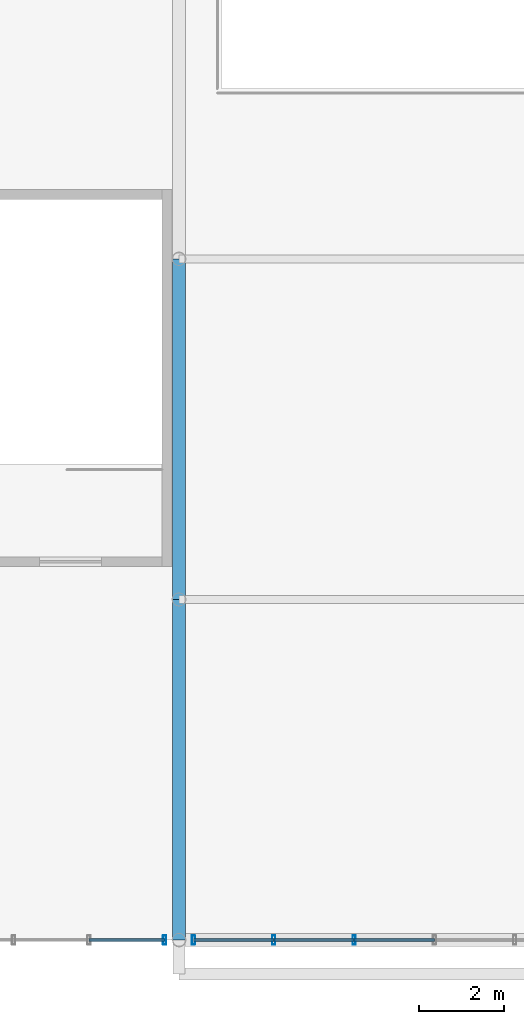
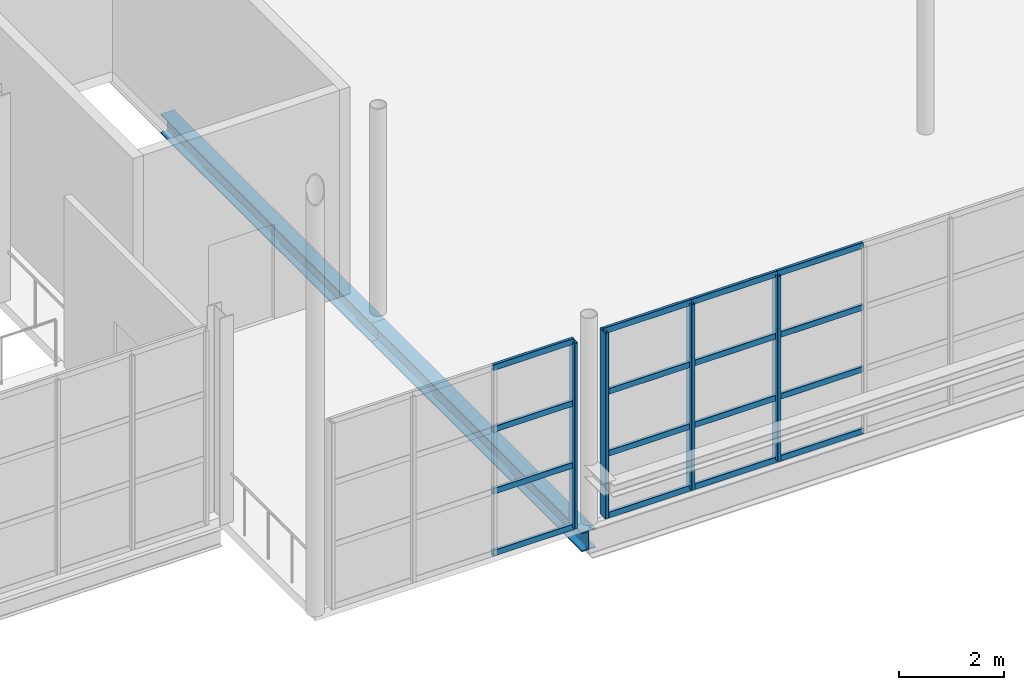
# One storey, part 34 of 143: 20 members, 2 beams, 2 elements without a shape of their own.
"""IFC4 building model written with IfcOpenShell, lengths in metres."""

from ifc_helpers import new_model, si_unit, derived_unit, direction, frame, origin, origin_2d, place, context, subcontext, project, spatial, hollow_rectangle, i_section, extrude, material, material_profile, profile_set, type_object, element, aggregate, save


model = new_model("IFC4")

# Units and contexts
model_context = context("Model", 3, precision=1e-05, world=origin(), true_north=direction((0.0, 1.0)))
body_context = subcontext(model_context, "Body", "Model", "MODEL_VIEW")
ifc_project = project(units=[si_unit("LENGTHUNIT", "METRE"), si_unit("AREAUNIT", "SQUARE_METRE"), si_unit("VOLUMEUNIT", "CUBIC_METRE"), si_unit("PLANEANGLEUNIT", "RADIAN"), si_unit("MASSUNIT", "GRAM", prefix="KILO"), derived_unit("THERMALTRANSMITTANCEUNIT", [(si_unit("POWERUNIT", "WATT"), 1), (si_unit("LENGTHUNIT", "METRE"), -2), (si_unit("THERMODYNAMICTEMPERATUREUNIT", "KELVIN"), -1)])], contexts=[model_context])

# Site, building, storey
site_placement = place(None, origin())
site = spatial("IfcSite", under=ifc_project, at=site_placement, CompositionType="ELEMENT")
building_placement = place(site_placement, origin())
building = spatial("IfcBuilding", under=site, at=building_placement, Name="Keldorne Ridge Multi-Sports Centre", CompositionType="ELEMENT")
storey_placement = place(building_placement, frame((0.0, 0.0, 4.800048828125)))
storey = spatial("IfcBuildingStorey", under=building, at=storey_placement, Name="L01", CompositionType="ELEMENT", Elevation=4.800048828125)

# Beams
ifc_material_1 = material(Name="Steel S355", Category="steel")
ifc_material_profile_1 = material_profile(ifc_material_1, i_section(OverallWidth=0.300048828125, OverallDepth=0.449951171875, WebThickness=0.013916015625, FlangeThickness=0.02587890625, FilletRadius=0.027099609375, at=origin_2d()), Name="HEB 450")
ifc_profile_set_1 = profile_set([ifc_material_profile_1], Name="Steel S355")
beam_type = type_object("IfcBeamType", Name="BM-B-11", PredefinedType="BEAM", material=ifc_profile_set_1)
for number, where, z_axis, x_axis, name in (
    (1, (84.0, 6.0, -0.445068359375), (0.0, 1.0, 0.0), (-1.0, 0.0, 0.0), "L01 passage girder G12.1"),
    (2, (84.0, 14.0, -0.445068359375), (0.0, 1.0, 0.0), (-1.0, 0.0, 0.0), "L01 passage girder G12.2"),
):
    element("IfcBeam", number, at=place(storey_placement, frame(where, z_axis=z_axis, x_axis=x_axis)), inside=storey, type_object=beam_type, Name=name, PredefinedType="BEAM", context=body_context, shape_type="SweptSolid", body=[
        extrude(i_section(OverallWidth=0.300048828125, OverallDepth=0.449951171875, WebThickness=0.013916015625, FlangeThickness=0.02587890625, FilletRadius=0.027099609375, at=origin_2d()), origin(), (0.0, 0.0, 1.0), 8.0),
    ])

# Curtain wall, member
ifc_material_2 = material(Name="Anodized aluminium", Category="aluminium")
curtain_wall_type_1 = type_object("IfcCurtainWallType", Name="CW-CW-02", PredefinedType="NOTDEFINED", material=ifc_material_2)
curtain_wall_1_placement = place(storey_placement, origin())
curtain_wall_1 = element("IfcCurtainWall", 3, at=curtain_wall_1_placement, inside=storey, type_object=curtain_wall_type_1, Name="Public Passage S upper glazing 074", PredefinedType="NOTDEFINED")
ifc_material_profile_2 = material_profile(ifc_material_2, hollow_rectangle(XDim=0.074951171875, YDim=0.219970703125, WallThickness=0.0048828125, InnerFilletRadius=0.0048828125, OuterFilletRadius=0.010009765625, at=origin_2d()), Name="ALU MULLION 220x75x5")
ifc_profile_set_2 = profile_set([ifc_material_profile_2], Name="Anodized aluminium")
member_type_1 = type_object("IfcMemberType", Name="MEM-ML-02", PredefinedType="MULLION", material=ifc_profile_set_2)
member_1_placement = place(storey_placement, frame((83.659912109375, 6.0, 0.0), z_axis=(0.0, 0.0, 1.0), x_axis=(1.0, 0.0, 0.0)))
member_1 = element("IfcMember", 4, at=member_1_placement, type_object=member_type_1, Name="CW-074 vertical mullion 4", PredefinedType="MULLION", context=body_context, shape_type="SweptSolid", body=[
    extrude(hollow_rectangle(XDim=0.074951171875, YDim=0.219970703125, WallThickness=0.0048828125, InnerFilletRadius=0.0048828125, OuterFilletRadius=0.010009765625, at=origin_2d()), origin(), (0.0, 0.0, 1.0), 4.300048828125),
])

# Curtain wall, members
curtain_wall_type_2 = type_object("IfcCurtainWallType", Name="CW-CW-03", PredefinedType="NOTDEFINED", material=ifc_material_2)
curtain_wall_2_placement = place(storey_placement, origin())
curtain_wall_2 = element("IfcCurtainWall", 5, at=curtain_wall_2_placement, inside=storey, type_object=curtain_wall_type_2, Name="Public Passage S upper portal glazing 075", PredefinedType="NOTDEFINED")
member_2_placement = place(storey_placement, frame((84.340087890625, 6.0, 0.0), z_axis=(0.0, 0.0, 1.0), x_axis=(1.0, 0.0, 0.0)))
member_2 = element("IfcMember", 6, at=member_2_placement, type_object=member_type_1, Name="CW-075 vertical mullion 1", PredefinedType="MULLION", context=body_context, shape_type="SweptSolid", body=[
    extrude(hollow_rectangle(XDim=0.074951171875, YDim=0.219970703125, WallThickness=0.0048828125, InnerFilletRadius=0.0048828125, OuterFilletRadius=0.010009765625, at=origin_2d()), origin(), (0.0, 0.0, 1.0), 4.300048828125),
])
member_3_placement = place(storey_placement, frame((86.226806640625, 6.0, 0.0), z_axis=(0.0, 0.0, 1.0), x_axis=(1.0, 0.0, 0.0)))
member_3 = element("IfcMember", 7, at=member_3_placement, type_object=member_type_1, Name="CW-075 vertical mullion 2", PredefinedType="MULLION", context=body_context, shape_type="SweptSolid", body=[
    extrude(hollow_rectangle(XDim=0.074951171875, YDim=0.219970703125, WallThickness=0.0048828125, InnerFilletRadius=0.0048828125, OuterFilletRadius=0.010009765625, at=origin_2d()), origin(), (0.0, 0.0, 1.0), 4.300048828125),
])
member_4_placement = place(storey_placement, frame((88.11328125, 6.0, 0.0), z_axis=(0.0, 0.0, 1.0), x_axis=(1.0, 0.0, 0.0)))
member_4 = element("IfcMember", 8, at=member_4_placement, type_object=member_type_1, Name="CW-075 vertical mullion 3", PredefinedType="MULLION", context=body_context, shape_type="SweptSolid", body=[
    extrude(hollow_rectangle(XDim=0.074951171875, YDim=0.219970703125, WallThickness=0.0048828125, InnerFilletRadius=0.0048828125, OuterFilletRadius=0.010009765625, at=origin_2d()), origin(), (0.0, 0.0, 1.0), 4.300048828125),
])

# Member
ifc_material_profile_3 = material_profile(ifc_material_2, hollow_rectangle(XDim=0.06494140625, YDim=0.139892578125, WallThickness=0.00439453125, InnerFilletRadius=0.00439453125, OuterFilletRadius=0.009033203125, at=origin_2d()), Name="ALU TRANSOM 140x65x4.5")
ifc_profile_set_3 = profile_set([ifc_material_profile_3], Name="Anodized aluminium")
member_type_2 = type_object("IfcMemberType", Name="MEM-TR-01", PredefinedType="USERDEFINED", material=ifc_profile_set_3)
member_5_placement = place(storey_placement, frame((81.88671875, 6.0, 0.0), z_axis=(1.0, 0.0, 0.0), x_axis=(0.0, 1.0, 0.0)))
member_5 = element("IfcMember", 9, at=member_5_placement, type_object=member_type_2, Name="CW-074 transom 3.1", ObjectType="TRANSOM", PredefinedType="USERDEFINED", context=body_context, shape_type="SweptSolid", body=[
    extrude(hollow_rectangle(XDim=0.06494140625, YDim=0.139892578125, WallThickness=0.00439453125, InnerFilletRadius=0.00439453125, OuterFilletRadius=0.009033203125, at=origin_2d()), origin(), (0.0, 0.0, 1.0), 1.773193359375),
])

member_6_placement = place(storey_placement, frame((81.88671875, 6.0, 1.433349609375), z_axis=(1.0, 0.0, 0.0), x_axis=(0.0, 1.0, 0.0)))
member_6 = element("IfcMember", 10, at=member_6_placement, type_object=member_type_2, Name="CW-074 transom 3.2", ObjectType="TRANSOM", PredefinedType="USERDEFINED", context=body_context, shape_type="SweptSolid", body=[
    extrude(hollow_rectangle(XDim=0.06494140625, YDim=0.139892578125, WallThickness=0.00439453125, InnerFilletRadius=0.00439453125, OuterFilletRadius=0.009033203125, at=origin_2d()), origin(), (0.0, 0.0, 1.0), 1.773193359375),
])

member_7_placement = place(storey_placement, frame((81.88671875, 6.0, 2.86669921875), z_axis=(1.0, 0.0, 0.0), x_axis=(0.0, 1.0, 0.0)))
member_7 = element("IfcMember", 11, at=member_7_placement, type_object=member_type_2, Name="CW-074 transom 3.3", ObjectType="TRANSOM", PredefinedType="USERDEFINED", context=body_context, shape_type="SweptSolid", body=[
    extrude(hollow_rectangle(XDim=0.06494140625, YDim=0.139892578125, WallThickness=0.00439453125, InnerFilletRadius=0.00439453125, OuterFilletRadius=0.009033203125, at=origin_2d()), origin(), (0.0, 0.0, 1.0), 1.773193359375),
])

member_8_placement = place(storey_placement, frame((81.88671875, 6.0, 4.300048828125), z_axis=(1.0, 0.0, 0.0), x_axis=(0.0, 1.0, 0.0)))
member_8 = element("IfcMember", 12, at=member_8_placement, type_object=member_type_2, Name="CW-074 transom 3.4", ObjectType="TRANSOM", PredefinedType="USERDEFINED", context=body_context, shape_type="SweptSolid", body=[
    extrude(hollow_rectangle(XDim=0.06494140625, YDim=0.139892578125, WallThickness=0.00439453125, InnerFilletRadius=0.00439453125, OuterFilletRadius=0.009033203125, at=origin_2d()), origin(), (0.0, 0.0, 1.0), 1.773193359375),
])

aggregate(curtain_wall_1, [member_1, member_5, member_6, member_7, member_8])

member_9_placement = place(storey_placement, frame((84.340087890625, 6.0, 0.0), z_axis=(1.0, 0.0, 0.0), x_axis=(0.0, 1.0, 0.0)))
member_9 = element("IfcMember", 13, at=member_9_placement, type_object=member_type_2, Name="CW-075 transom 1.1", ObjectType="TRANSOM", PredefinedType="USERDEFINED", context=body_context, shape_type="SweptSolid", body=[
    extrude(hollow_rectangle(XDim=0.06494140625, YDim=0.139892578125, WallThickness=0.00439453125, InnerFilletRadius=0.00439453125, OuterFilletRadius=0.009033203125, at=origin_2d()), origin(), (0.0, 0.0, 1.0), 1.88671875),
])

member_10_placement = place(storey_placement, frame((84.340087890625, 6.0, 1.433349609375), z_axis=(1.0, 0.0, 0.0), x_axis=(0.0, 1.0, 0.0)))
member_10 = element("IfcMember", 14, at=member_10_placement, type_object=member_type_2, Name="CW-075 transom 1.2", ObjectType="TRANSOM", PredefinedType="USERDEFINED", context=body_context, shape_type="SweptSolid", body=[
    extrude(hollow_rectangle(XDim=0.06494140625, YDim=0.139892578125, WallThickness=0.00439453125, InnerFilletRadius=0.00439453125, OuterFilletRadius=0.009033203125, at=origin_2d()), origin(), (0.0, 0.0, 1.0), 1.88671875),
])

member_11_placement = place(storey_placement, frame((84.340087890625, 6.0, 2.86669921875), z_axis=(1.0, 0.0, 0.0), x_axis=(0.0, 1.0, 0.0)))
member_11 = element("IfcMember", 15, at=member_11_placement, type_object=member_type_2, Name="CW-075 transom 1.3", ObjectType="TRANSOM", PredefinedType="USERDEFINED", context=body_context, shape_type="SweptSolid", body=[
    extrude(hollow_rectangle(XDim=0.06494140625, YDim=0.139892578125, WallThickness=0.00439453125, InnerFilletRadius=0.00439453125, OuterFilletRadius=0.009033203125, at=origin_2d()), origin(), (0.0, 0.0, 1.0), 1.88671875),
])

member_12_placement = place(storey_placement, frame((84.340087890625, 6.0, 4.300048828125), z_axis=(1.0, 0.0, 0.0), x_axis=(0.0, 1.0, 0.0)))
member_12 = element("IfcMember", 16, at=member_12_placement, type_object=member_type_2, Name="CW-075 transom 1.4", ObjectType="TRANSOM", PredefinedType="USERDEFINED", context=body_context, shape_type="SweptSolid", body=[
    extrude(hollow_rectangle(XDim=0.06494140625, YDim=0.139892578125, WallThickness=0.00439453125, InnerFilletRadius=0.00439453125, OuterFilletRadius=0.009033203125, at=origin_2d()), origin(), (0.0, 0.0, 1.0), 1.88671875),
])

member_13_placement = place(storey_placement, frame((86.226806640625, 6.0, 0.0), z_axis=(1.0, 0.0, 0.0), x_axis=(0.0, 1.0, 0.0)))
member_13 = element("IfcMember", 17, at=member_13_placement, type_object=member_type_2, Name="CW-075 transom 2.1", ObjectType="TRANSOM", PredefinedType="USERDEFINED", context=body_context, shape_type="SweptSolid", body=[
    extrude(hollow_rectangle(XDim=0.06494140625, YDim=0.139892578125, WallThickness=0.00439453125, InnerFilletRadius=0.00439453125, OuterFilletRadius=0.009033203125, at=origin_2d()), origin(), (0.0, 0.0, 1.0), 1.886474609375),
])

member_14_placement = place(storey_placement, frame((86.226806640625, 6.0, 1.433349609375), z_axis=(1.0, 0.0, 0.0), x_axis=(0.0, 1.0, 0.0)))
member_14 = element("IfcMember", 18, at=member_14_placement, type_object=member_type_2, Name="CW-075 transom 2.2", ObjectType="TRANSOM", PredefinedType="USERDEFINED", context=body_context, shape_type="SweptSolid", body=[
    extrude(hollow_rectangle(XDim=0.06494140625, YDim=0.139892578125, WallThickness=0.00439453125, InnerFilletRadius=0.00439453125, OuterFilletRadius=0.009033203125, at=origin_2d()), origin(), (0.0, 0.0, 1.0), 1.886474609375),
])

member_15_placement = place(storey_placement, frame((86.226806640625, 6.0, 2.86669921875), z_axis=(1.0, 0.0, 0.0), x_axis=(0.0, 1.0, 0.0)))
member_15 = element("IfcMember", 19, at=member_15_placement, type_object=member_type_2, Name="CW-075 transom 2.3", ObjectType="TRANSOM", PredefinedType="USERDEFINED", context=body_context, shape_type="SweptSolid", body=[
    extrude(hollow_rectangle(XDim=0.06494140625, YDim=0.139892578125, WallThickness=0.00439453125, InnerFilletRadius=0.00439453125, OuterFilletRadius=0.009033203125, at=origin_2d()), origin(), (0.0, 0.0, 1.0), 1.886474609375),
])

member_16_placement = place(storey_placement, frame((86.226806640625, 6.0, 4.300048828125), z_axis=(1.0, 0.0, 0.0), x_axis=(0.0, 1.0, 0.0)))
member_16 = element("IfcMember", 20, at=member_16_placement, type_object=member_type_2, Name="CW-075 transom 2.4", ObjectType="TRANSOM", PredefinedType="USERDEFINED", context=body_context, shape_type="SweptSolid", body=[
    extrude(hollow_rectangle(XDim=0.06494140625, YDim=0.139892578125, WallThickness=0.00439453125, InnerFilletRadius=0.00439453125, OuterFilletRadius=0.009033203125, at=origin_2d()), origin(), (0.0, 0.0, 1.0), 1.886474609375),
])

member_17_placement = place(storey_placement, frame((88.11328125, 6.0, 0.0), z_axis=(1.0, 0.0, 0.0), x_axis=(0.0, 1.0, 0.0)))
member_17 = element("IfcMember", 21, at=member_17_placement, type_object=member_type_2, Name="CW-075 transom 3.1", ObjectType="TRANSOM", PredefinedType="USERDEFINED", context=body_context, shape_type="SweptSolid", body=[
    extrude(hollow_rectangle(XDim=0.06494140625, YDim=0.139892578125, WallThickness=0.00439453125, InnerFilletRadius=0.00439453125, OuterFilletRadius=0.009033203125, at=origin_2d()), origin(), (0.0, 0.0, 1.0), 1.88671875),
])

member_18_placement = place(storey_placement, frame((88.11328125, 6.0, 1.433349609375), z_axis=(1.0, 0.0, 0.0), x_axis=(0.0, 1.0, 0.0)))
member_18 = element("IfcMember", 22, at=member_18_placement, type_object=member_type_2, Name="CW-075 transom 3.2", ObjectType="TRANSOM", PredefinedType="USERDEFINED", context=body_context, shape_type="SweptSolid", body=[
    extrude(hollow_rectangle(XDim=0.06494140625, YDim=0.139892578125, WallThickness=0.00439453125, InnerFilletRadius=0.00439453125, OuterFilletRadius=0.009033203125, at=origin_2d()), origin(), (0.0, 0.0, 1.0), 1.88671875),
])

member_19_placement = place(storey_placement, frame((88.11328125, 6.0, 2.86669921875), z_axis=(1.0, 0.0, 0.0), x_axis=(0.0, 1.0, 0.0)))
member_19 = element("IfcMember", 23, at=member_19_placement, type_object=member_type_2, Name="CW-075 transom 3.3", ObjectType="TRANSOM", PredefinedType="USERDEFINED", context=body_context, shape_type="SweptSolid", body=[
    extrude(hollow_rectangle(XDim=0.06494140625, YDim=0.139892578125, WallThickness=0.00439453125, InnerFilletRadius=0.00439453125, OuterFilletRadius=0.009033203125, at=origin_2d()), origin(), (0.0, 0.0, 1.0), 1.88671875),
])

member_20_placement = place(storey_placement, frame((88.11328125, 6.0, 4.300048828125), z_axis=(1.0, 0.0, 0.0), x_axis=(0.0, 1.0, 0.0)))
member_20 = element("IfcMember", 24, at=member_20_placement, type_object=member_type_2, Name="CW-075 transom 3.4", ObjectType="TRANSOM", PredefinedType="USERDEFINED", context=body_context, shape_type="SweptSolid", body=[
    extrude(hollow_rectangle(XDim=0.06494140625, YDim=0.139892578125, WallThickness=0.00439453125, InnerFilletRadius=0.00439453125, OuterFilletRadius=0.009033203125, at=origin_2d()), origin(), (0.0, 0.0, 1.0), 1.88671875),
])

aggregate(curtain_wall_2, [member_2, member_3, member_4, member_9, member_10, member_11, member_12, member_13, member_14, member_15, member_16, member_17, member_18, member_19, member_20])

save(model, "model.ifc")
